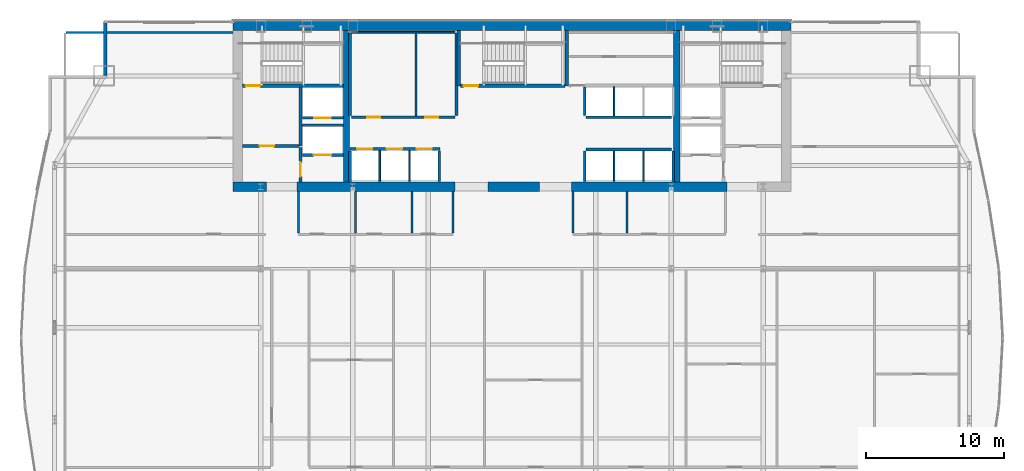
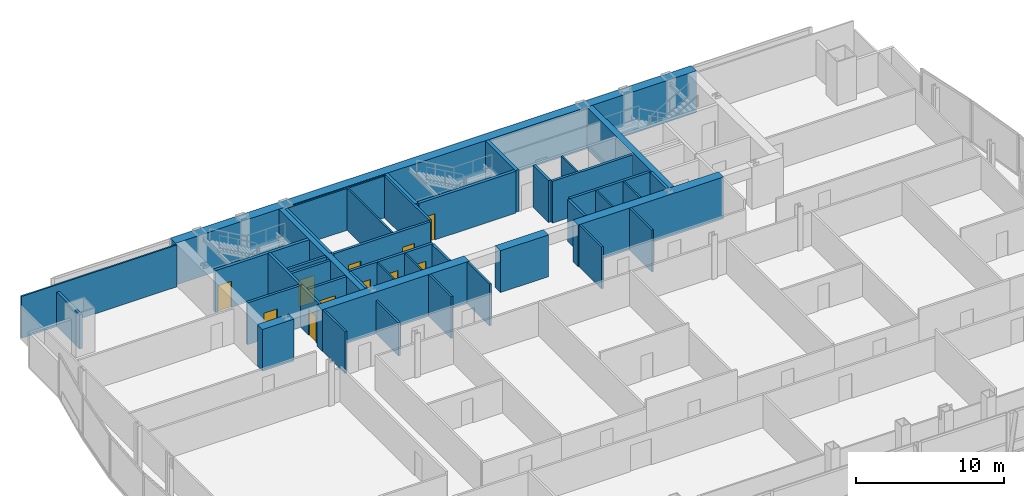
# One storey, part 29 of 33: 43 walls, 11 doors, 11 openings.
"""IFC4 building model written with IfcOpenShell, lengths in metres."""

from ifc_helpers import new_model, si_unit, direction, frame, frame_2d, origin, place, context, subcontext, project, spatial, rectangle, extrude, material, layer, layer_set, type_object, element, fill, save


model = new_model("IFC4")

# Units and contexts
model_context = context("Model", 3, precision=1e-05, world=origin(), true_north=direction((0.0, 1.0)))
body_context = subcontext(model_context, "Body", "Model", "MODEL_VIEW")
ifc_project = project(units=[si_unit("LENGTHUNIT", "METRE"), si_unit("AREAUNIT", "SQUARE_METRE"), si_unit("VOLUMEUNIT", "CUBIC_METRE"), si_unit("PLANEANGLEUNIT", "RADIAN"), si_unit("MASSUNIT", "GRAM", prefix="KILO")], contexts=[model_context])

# Site, building, storey
site_placement = place(None, origin())
site = spatial("IfcSite", under=ifc_project, at=site_placement, CompositionType="ELEMENT")
building_placement = place(site_placement, origin())
building = spatial("IfcBuilding", under=site, at=building_placement, Name="Khoronbel Lancet Exchange", CompositionType="ELEMENT")
storey_placement = place(building_placement, frame((0.0, 0.0, 114.60009765625)))
storey = spatial("IfcBuildingStorey", under=building, at=storey_placement, Name="L27", CompositionType="ELEMENT", Elevation=114.60009765625)

# Walls
ifc_material_1 = material(Name="Concrete C80/95", Category="concrete")
ifc_layer_1 = layer(ifc_material_1, 0.699951171875, Name="Concrete C80/95")
ifc_layer_set_1 = layer_set([ifc_layer_1], Name="Concrete C80/95")
wall_type_1 = type_object("IfcWallType", Name="WL-CW2", PredefinedType="SHEAR", material=ifc_layer_set_1)
wall_1_placement = place(storey_placement, frame((16.199951171875, 53.35009765625, 0.0), z_axis=(0.0, 0.0, 1.0), x_axis=(1.0, 0.0, 0.0)))
element("IfcWall", 1, at=wall_1_placement, inside=storey, type_object=wall_type_1, Name="Level L27 rear core north shear wall", PredefinedType="SHEAR", context=body_context, shape_type="SweptSolid", body=[
    extrude(rectangle(XDim=40.5, YDim=0.699951171875, at=frame_2d((20.25, 0.0))), origin(), (0.0, 0.0, 1.0), 3.43994140625),
])
wall_2_placement = place(storey_placement, frame((18.64990234375, 41.64990234375, 0.0), z_axis=(0.0, 0.0, 1.0), x_axis=(-1.0, 0.0, 0.0)))
element("IfcWall", 2, at=wall_2_placement, inside=storey, type_object=wall_type_1, Name="Level L27 rear core south shear wall pier P1", PredefinedType="SHEAR", context=body_context, shape_type="SweptSolid", body=[
    extrude(rectangle(XDim=2.449951171875, YDim=0.699951171875, at=frame_2d((1.22509765625, 0.0))), origin(), (0.0, 0.0, 1.0), 3.43994140625),
])
wall_3_placement = place(storey_placement, frame((32.300048828125, 41.64990234375, 0.0), z_axis=(0.0, 0.0, 1.0), x_axis=(-1.0, 0.0, 0.0)))
element("IfcWall", 3, at=wall_3_placement, inside=storey, type_object=wall_type_1, Name="Level L27 rear core south shear wall pier P2", PredefinedType="SHEAR", context=body_context, shape_type="SweptSolid", body=[
    extrude(rectangle(XDim=11.449951171875, YDim=0.699951171875, at=frame_2d((5.72509765625, 0.0))), origin(), (0.0, 0.0, 1.0), 3.43994140625),
])
wall_4_placement = place(storey_placement, frame((38.449951171875, 41.64990234375, 0.0), z_axis=(0.0, 0.0, 1.0), x_axis=(-1.0, 0.0, 0.0)))
element("IfcWall", 4, at=wall_4_placement, inside=storey, type_object=wall_type_1, Name="Level L27 rear core south shear wall pier P3", PredefinedType="SHEAR", context=body_context, shape_type="SweptSolid", body=[
    extrude(rectangle(XDim=3.75, YDim=0.699951171875, at=frame_2d((1.875, 0.0))), origin(), (0.0, 0.0, 1.0), 3.43994140625),
])
wall_5_placement = place(storey_placement, frame((52.050048828125, 41.64990234375, 0.0), z_axis=(0.0, 0.0, 1.0), x_axis=(-1.0, 0.0, 0.0)))
element("IfcWall", 5, at=wall_5_placement, inside=storey, type_object=wall_type_1, Name="Level L27 rear core south shear wall pier P4", PredefinedType="SHEAR", context=body_context, shape_type="SweptSolid", body=[
    extrude(rectangle(XDim=11.300048828125, YDim=0.699951171875, at=frame_2d((5.64990234375, 0.0))), origin(), (0.0, 0.0, 1.0), 3.43994140625),
])
ifc_material_2 = material(Name="Precast concrete C40/50", Category="concrete")
ifc_layer_2 = layer(ifc_material_2, 0.25, Name="Precast concrete C40/50")
ifc_layer_set_2 = layer_set([ifc_layer_2], Name="Precast concrete C40/50")
wall_type_2 = type_object("IfcWallType", Name="WL-EXT250", PredefinedType="SOLIDWALL", material=ifc_layer_set_2)
wall_6_placement = place(storey_placement, frame((6.93994140625, 49.719970703125, 0.0), z_axis=(0.0, 0.0, 1.0), x_axis=(0.0, 1.0, 0.0)))
element("IfcWall", 6, at=wall_6_placement, inside=storey, type_object=wall_type_2, Name="Level L27 notched-corner limestone pier 12", PredefinedType="SOLIDWALL", context=body_context, shape_type="SweptSolid", body=[
    extrude(rectangle(XDim=3.909912109375, YDim=0.219970703125, at=frame_2d((1.955078125, 0.0))), origin(), (0.0, 0.0, 1.0), 2.829833984375),
])
ifc_material_3 = material(Name="Acoustic Metal-Stud & Mineral-Wool Gypsum Partition 120 mm", Category="gypsum")
ifc_layer_3 = layer(ifc_material_3, 0.1201171875, Name="Acoustic Metal-Stud & Mineral-Wool Gypsum Partition 120 mm")
ifc_layer_set_3 = layer_set([ifc_layer_3], Name="Acoustic Metal-Stud & Mineral-Wool Gypsum Partition 120 mm")
wall_type_3 = type_object("IfcWallType", Name="WL-PRT120", PredefinedType="PARTITIONING", material=ifc_layer_set_3)
wall_7_placement = place(storey_placement, frame((20.949951171875, 38.280029296875, 0.0), z_axis=(0.0, 0.0, 1.0), x_axis=(0.0, 1.0, 0.0)))
element("IfcWall", 7, at=wall_7_placement, inside=storey, type_object=wall_type_3, Name="Level L27 interior partition PW-WC-0", PredefinedType="PARTITIONING", context=body_context, shape_type="SweptSolid", body=[
    extrude(rectangle(XDim=3.02001953125, YDim=0.14990234375, at=frame_2d((1.510009765625, 0.0))), origin(), (0.0, 0.0, 1.0), 3.43994140625),
])
wall_8_placement = place(storey_placement, frame((25.10009765625, 38.280029296875, 0.0), z_axis=(0.0, 0.0, 1.0), x_axis=(0.0, 1.0, 0.0)))
element("IfcWall", 8, at=wall_8_placement, inside=storey, type_object=wall_type_3, Name="Level L27 interior partition PW-WC-1", PredefinedType="PARTITIONING", context=body_context, shape_type="SweptSolid", body=[
    extrude(rectangle(XDim=3.02001953125, YDim=0.14990234375, at=frame_2d((1.510009765625, 0.0))), origin(), (0.0, 0.0, 1.0), 2.72998046875),
])
for number, where, z_axis, x_axis, name in (
    (9, (29.199951171875, 38.280029296875, 0.0), (0.0, 0.0, 1.0), (0.0, 1.0, 0.0), "Level L27 interior partition PW-WC-2"),
    (10, (32.179931640625, 38.280029296875, 0.0), (0.0, 0.0, 1.0), (0.0, 1.0, 0.0), "Level L27 interior partition PW-WC-3"),
    (11, (40.8798828125, 38.280029296875, 0.0), (0.0, 0.0, 1.0), (0.0, 1.0, 0.0), "Level L27 interior partition PW-NP-0"),
    (12, (44.800048828125, 38.280029296875, 0.0), (0.0, 0.0, 1.0), (0.0, 1.0, 0.0), "Level L27 interior partition PW-NP-M"),
):
    element("IfcWall", number, at=place(storey_placement, frame(where, z_axis=z_axis, x_axis=x_axis)), inside=storey, type_object=wall_type_3, Name=name, PredefinedType="PARTITIONING", context=body_context, shape_type="SweptSolid", body=[
        extrude(rectangle(XDim=3.02001953125, YDim=0.14990234375, at=frame_2d((1.510009765625, 0.0))), origin(), (0.0, 0.0, 1.0), 3.43994140625),
    ])
wall_9_placement = place(storey_placement, frame((4.094970703125, 52.840087890625, 0.0), z_axis=(0.0, 0.0, 1.0), x_axis=(1.0, 0.0, 0.0)))
element("IfcWall", 13, at=wall_9_placement, inside=storey, type_object=wall_type_3, Name="Level L27 interior partition PW-LIN-NW", PredefinedType="PARTITIONING", context=body_context, shape_type="SweptSolid", body=[
    extrude(rectangle(XDim=12.10498046875, YDim=0.1201171875, at=frame_2d((6.052490234375, 0.0))), origin(), (0.0, 0.0, 1.0), 3.43994140625),
])
ifc_material_4 = material(Name="Fire-Rated Metal-Stud & Mineral-Wool Gypsum Partition 120 mm", Category="gypsum")
ifc_layer_4 = layer(ifc_material_4, 0.1201171875, Name="Fire-Rated Metal-Stud & Mineral-Wool Gypsum Partition 120 mm")
ifc_layer_set_4 = layer_set([ifc_layer_4], Name="Fire-Rated Metal-Stud & Mineral-Wool Gypsum Partition 120 mm")
wall_type_4 = type_object("IfcWallType", Name="WL-PRT120F", PredefinedType="PARTITIONING", material=ifc_layer_set_4)
wall_10_placement = place(storey_placement, frame((24.804931640625, 52.860107421875, 0.0), z_axis=(0.0, 0.0, 1.0), x_axis=(1.0, 0.0, 0.0)))
element("IfcWall", 14, at=wall_10_placement, inside=storey, type_object=wall_type_4, Name="Level L27 interior partition CW-PL-RN", PredefinedType="PARTITIONING", context=body_context, shape_type="SweptSolid", body=[
    extrude(rectangle(XDim=7.510009765625, YDim=0.1201171875, at=frame_2d((3.7548828125, 0.0))), origin(), (0.0, 0.0, 1.0), 3.43994140625),
])
wall_11_placement = place(storey_placement, frame((29.486328125, 46.804931640625, 0.0), z_axis=(0.0, 0.0, 1.0), x_axis=(0.0, 1.0, 0.0)))
element("IfcWall", 15, at=wall_11_placement, inside=storey, type_object=wall_type_4, Name="Level L27 interior partition CW-PL-RS2", PredefinedType="PARTITIONING", context=body_context, shape_type="SweptSolid", body=[
    extrude(rectangle(XDim=5.989990234375, YDim=0.1201171875, at=frame_2d((2.9951171875, 0.0))), origin(), (0.0, 0.0, 1.0), 3.43994140625),
])
for number, where, z_axis, x_axis, name in (
    (16, (26.860107421875, 42.050048828125, 0.0), (0.0, 0.0, 1.0), (0.0, 1.0, 0.0), "Level L27 interior partition CW-PM-D1"),
    (17, (29.02001953125, 42.050048828125, 0.0), (0.0, 0.0, 1.0), (0.0, 1.0, 0.0), "Level L27 interior partition CW-PM-D2"),
):
    element("IfcWall", number, at=place(storey_placement, frame(where, z_axis=z_axis, x_axis=x_axis)), inside=storey, type_object=wall_type_4, Name=name, PredefinedType="PARTITIONING", context=body_context, shape_type="SweptSolid", body=[
        extrude(rectangle(XDim=2.199951171875, YDim=0.1201171875, at=frame_2d((1.10009765625, 0.0))), origin(), (0.0, 0.0, 1.0), 3.43994140625),
    ])
wall_12_placement = place(storey_placement, frame((43.860107421875, 46.804931640625, 0.0), z_axis=(0.0, 0.0, 1.0), x_axis=(0.0, 1.0, 0.0)))
element("IfcWall", 18, at=wall_12_placement, inside=storey, type_object=wall_type_4, Name="Level L27 interior partition CW-PH-D1", PredefinedType="PARTITIONING", context=body_context, shape_type="SweptSolid", body=[
    extrude(rectangle(XDim=2.090087890625, YDim=0.1201171875, at=frame_2d((1.044921875, 0.0))), origin(), (0.0, 0.0, 1.0), 3.43994140625),
])
for number, where, z_axis, x_axis, name in (
    (19, (43.860107421875, 42.050048828125, 0.0), (0.0, 0.0, 1.0), (0.0, 1.0, 0.0), "Level L27 interior partition CW-PX-D1"),
    (20, (46.0, 42.050048828125, 0.0), (0.0, 0.0, 1.0), (0.0, 1.0, 0.0), "Level L27 interior partition CW-PX-D2"),
):
    element("IfcWall", number, at=place(storey_placement, frame(where, z_axis=z_axis, x_axis=x_axis)), inside=storey, type_object=wall_type_4, Name=name, PredefinedType="PARTITIONING", context=body_context, shape_type="SweptSolid", body=[
        extrude(rectangle(XDim=2.195068359375, YDim=0.1201171875, at=frame_2d((1.09765625, 0.0))), origin(), (0.0, 0.0, 1.0), 3.43994140625),
    ])

# Wall, openings, doors
ifc_material_5 = material(Name="Autoclaved Aerated Concrete Blockwork 200 mm", Category="masonry")
ifc_layer_5 = layer(ifc_material_5, 0.199951171875, Name="Autoclaved Aerated Concrete Blockwork 200 mm")
ifc_layer_set_5 = layer_set([ifc_layer_5], Name="Autoclaved Aerated Concrete Blockwork 200 mm")
wall_type_5 = type_object("IfcWallType", Name="WL-PRT200", PredefinedType="PARTITIONING", material=ifc_layer_set_5)
wall_13_placement = place(storey_placement, frame((24.68994140625, 44.39990234375, 0.0), z_axis=(0.0, 0.0, 1.0), x_axis=(1.0, 0.0, 0.0)))
wall_13 = element("IfcWall", 21, at=wall_13_placement, inside=storey, type_object=wall_type_5, Name="Level L27 elevator hoistway landing front wall PMW", PredefinedType="PARTITIONING", context=body_context, shape_type="SweptSolid", body=[
    extrude(rectangle(XDim=6.530029296875, YDim=0.199951171875, at=frame_2d((3.26513671875, 0.0))), origin(), (0.0, 0.0, 1.0), 3.43994140625),
])
opening_1_placement = place(wall_13_placement, frame((0.530029296875, 0.0, 0.0)))
opening_1 = element("IfcOpeningElement", 22, at=opening_1_placement, cuts=wall_13, Name="Opening LD-PM1", PredefinedType="OPENING", context=body_context, shape_type="SweptSolid", body=[
    extrude(rectangle(XDim=1.10009765625, YDim=2.179931640625, at=frame_2d((0.550048828125, 1.08984375))), frame((0.0, 0.10986328125, 0.0), z_axis=(0.0, -1.0, 0.0), x_axis=(1.0, 0.0, 0.0)), (0.0, 0.0, 1.0), 0.219970703125),
])
opening_2_placement = place(wall_13_placement, frame((2.68994140625, 0.0, 0.0)))
opening_2 = element("IfcOpeningElement", 23, at=opening_2_placement, cuts=wall_13, Name="Opening LD-PM2", PredefinedType="OPENING", context=body_context, shape_type="SweptSolid", body=[
    extrude(rectangle(XDim=1.10009765625, YDim=2.179931640625, at=frame_2d((0.550048828125, 1.08984375))), frame((0.0, 0.10986328125, 0.0), z_axis=(0.0, -1.0, 0.0), x_axis=(1.0, 0.0, 0.0)), (0.0, 0.0, 1.0), 0.219970703125),
])
opening_3_placement = place(wall_13_placement, frame((4.85009765625, 0.0, 0.0)))
opening_3 = element("IfcOpeningElement", 24, at=opening_3_placement, cuts=wall_13, Name="Opening LD-PM3", PredefinedType="OPENING", context=body_context, shape_type="SweptSolid", body=[
    extrude(rectangle(XDim=1.10009765625, YDim=2.179931640625, at=frame_2d((0.550048828125, 1.08984375))), frame((0.0, 0.10986328125, 0.0), z_axis=(0.0, -1.0, 0.0), x_axis=(1.0, 0.0, 0.0)), (0.0, 0.0, 1.0), 0.219970703125),
])
ifc_material_6 = material(Name="Brushed Bronze Bi-Parting Elevator Landing Door", Category="steel")
door_type_1 = type_object("IfcDoorType", Name="DR-LD-PAX", OperationType="NOTDEFINED", PredefinedType="DOOR", material=ifc_material_6)
door_1_placement = place(opening_1_placement, origin())
door_1 = element("IfcDoor", 25, at=door_1_placement, inside=storey, type_object=door_type_1, Name="Elevator landing sliding door LD-PM1 L27", OperationType="SLIDING_TO_LEFT", OverallHeight=2.179931640625, OverallWidth=1.10009765625, PredefinedType="DOOR", context=body_context, shape_type="SweptSolid", body=[
    extrude(rectangle(XDim=1.10009765625, YDim=2.179931640625, at=frame_2d((0.550048828125, 1.08984375))), frame((0.0, 0.02490234375, 0.0), z_axis=(0.0, -1.0, 0.0), x_axis=(1.0, 0.0, 0.0)), (0.0, 0.0, 1.0), 0.050048828125),
])
fill(opening_1, door_1)
door_2_placement = place(opening_2_placement, origin())
door_2 = element("IfcDoor", 26, at=door_2_placement, inside=storey, type_object=door_type_1, Name="Elevator landing sliding door LD-PM2 L27", OperationType="SLIDING_TO_LEFT", OverallHeight=2.179931640625, OverallWidth=1.10009765625, PredefinedType="DOOR", context=body_context, shape_type="SweptSolid", body=[
    extrude(rectangle(XDim=1.10009765625, YDim=2.179931640625, at=frame_2d((0.550048828125, 1.08984375))), frame((0.0, 0.02490234375, 0.0), z_axis=(0.0, -1.0, 0.0), x_axis=(1.0, 0.0, 0.0)), (0.0, 0.0, 1.0), 0.050048828125),
])
fill(opening_2, door_2)
door_3_placement = place(opening_3_placement, origin())
door_3 = element("IfcDoor", 27, at=door_3_placement, inside=storey, type_object=door_type_1, Name="Elevator landing sliding door LD-PM3 L27", OperationType="SLIDING_TO_LEFT", OverallHeight=2.179931640625, OverallWidth=1.10009765625, PredefinedType="DOOR", context=body_context, shape_type="SweptSolid", body=[
    extrude(rectangle(XDim=1.10009765625, YDim=2.179931640625, at=frame_2d((0.550048828125, 1.08984375))), frame((0.0, 0.02490234375, 0.0), z_axis=(0.0, -1.0, 0.0), x_axis=(1.0, 0.0, 0.0)), (0.0, 0.0, 1.0), 0.050048828125),
])
fill(opening_3, door_3)

# Wall, opening, door
wall_14_placement = place(storey_placement, frame((24.2099609375, 43.949951171875, 0.0), z_axis=(0.0, 0.0, 1.0), x_axis=(-1.0, 0.0, 0.0)))
wall_14 = element("IfcWall", 28, at=wall_14_placement, inside=storey, type_object=wall_type_5, Name="Level L27 elevator hoistway landing front wall SVLW", PredefinedType="PARTITIONING", context=body_context, shape_type="SweptSolid", body=[
    extrude(rectangle(XDim=2.969970703125, YDim=0.199951171875, at=frame_2d((1.48486328125, 0.0))), origin(), (0.0, 0.0, 1.0), 3.43994140625),
])
opening_4_placement = place(wall_14_placement, frame((0.860107421875, 0.0, 0.0)))
opening_4 = element("IfcOpeningElement", 29, at=opening_4_placement, cuts=wall_14, Name="Opening LD-SVL1", PredefinedType="OPENING", context=body_context, shape_type="SweptSolid", body=[
    extrude(rectangle(XDim=1.300048828125, YDim=2.179931640625, at=frame_2d((0.64990234375, 1.08984375))), frame((0.0, 0.10986328125, 0.0), z_axis=(0.0, -1.0, 0.0), x_axis=(1.0, 0.0, 0.0)), (0.0, 0.0, 1.0), 0.219970703125),
])
ifc_material_7 = material(Name="Heavy-Duty Bi-Parting Goods Lift Landing Door", Category="steel")
door_type_2 = type_object("IfcDoorType", Name="DR-LD-SVL", OperationType="NOTDEFINED", PredefinedType="DOOR", material=ifc_material_7)
door_4_placement = place(opening_4_placement, origin())
door_4 = element("IfcDoor", 30, at=door_4_placement, inside=storey, type_object=door_type_2, Name="Elevator landing sliding door LD-SVL1 L27", OperationType="SLIDING_TO_LEFT", OverallHeight=2.179931640625, OverallWidth=1.300048828125, PredefinedType="DOOR", context=body_context, shape_type="SweptSolid", body=[
    extrude(rectangle(XDim=1.300048828125, YDim=2.179931640625, at=frame_2d((0.64990234375, 1.08984375))), frame((0.0, 0.02490234375, 0.0), z_axis=(0.0, -1.0, 0.0), x_axis=(1.0, 0.0, 0.0)), (0.0, 0.0, 1.0), 0.050048828125),
])
fill(opening_4, door_4)

wall_15_placement = place(storey_placement, frame((24.2099609375, 46.64990234375, 0.0), z_axis=(0.0, 0.0, 1.0), x_axis=(-1.0, 0.0, 0.0)))
wall_15 = element("IfcWall", 31, at=wall_15_placement, inside=storey, type_object=wall_type_5, Name="Level L27 elevator hoistway landing front wall FFLW", PredefinedType="PARTITIONING", context=body_context, shape_type="SweptSolid", body=[
    extrude(rectangle(XDim=2.969970703125, YDim=0.199951171875, at=frame_2d((1.48486328125, 0.0))), origin(), (0.0, 0.0, 1.0), 3.43994140625),
])
opening_5_placement = place(wall_15_placement, frame((0.909912109375, 0.0, 0.0)))
opening_5 = element("IfcOpeningElement", 32, at=opening_5_placement, cuts=wall_15, Name="Opening LD-FFL1", PredefinedType="OPENING", context=body_context, shape_type="SweptSolid", body=[
    extrude(rectangle(XDim=1.199951171875, YDim=2.179931640625, at=frame_2d((0.60009765625, 1.08984375))), frame((0.0, 0.10986328125, 0.0), z_axis=(0.0, -1.0, 0.0), x_axis=(1.0, 0.0, 0.0)), (0.0, 0.0, 1.0), 0.219970703125),
])
ifc_material_8 = material(Name="Fire-Rated Stainless Bi-Parting Firefighting Lift Door", Category="steel")
door_type_3 = type_object("IfcDoorType", Name="DR-LD-FFL", OperationType="NOTDEFINED", PredefinedType="DOOR", material=ifc_material_8)
door_5_placement = place(opening_5_placement, origin())
door_5 = element("IfcDoor", 33, at=door_5_placement, inside=storey, type_object=door_type_3, Name="Elevator landing sliding door LD-FFL1 L27", OperationType="SLIDING_TO_LEFT", OverallHeight=2.179931640625, OverallWidth=1.199951171875, PredefinedType="DOOR", context=body_context, shape_type="SweptSolid", body=[
    extrude(rectangle(XDim=1.199951171875, YDim=2.179931640625, at=frame_2d((0.60009765625, 1.08984375))), frame((0.0, 0.02490234375, 0.0), z_axis=(0.0, -1.0, 0.0), x_axis=(1.0, 0.0, 0.0)), (0.0, 0.0, 1.0), 0.050048828125),
])
fill(opening_5, door_5)

# Wall
wall_16_placement = place(storey_placement, frame((21.10009765625, 44.60009765625, 0.0), z_axis=(0.0, 0.0, 1.0), x_axis=(0.0, 1.0, 0.0)))
element("IfcWall", 34, at=wall_16_placement, inside=storey, type_object=wall_type_5, Name="Level L27 interior partition CW-FFLW-E", PredefinedType="PARTITIONING", context=body_context, shape_type="SweptSolid", body=[
    extrude(rectangle(XDim=4.2998046875, YDim=0.199951171875, at=frame_2d((2.14990234375, 0.0))), origin(), (0.0, 0.0, 1.0), 3.43994140625),
])

# Wall, opening, door
wall_17_placement = place(storey_placement, frame((16.89990234375, 44.60009765625, 0.0), z_axis=(0.0, 0.0, 1.0), x_axis=(1.0, 0.0, 0.0)))
wall_17 = element("IfcWall", 35, at=wall_17_placement, inside=storey, type_object=wall_type_5, Name="Level L27 interior partition CW-FFLW-S", PredefinedType="PARTITIONING", context=body_context, shape_type="SweptSolid", body=[
    extrude(rectangle(XDim=4.10009765625, YDim=0.199951171875, at=frame_2d((2.050048828125, 0.0))), origin(), (0.0, 0.0, 1.0), 3.43994140625),
])
opening_6_placement = place(wall_17_placement, frame((1.25, 0.0, 0.0)))
opening_6 = element("IfcOpeningElement", 36, at=opening_6_placement, cuts=wall_17, Name="Opening FD1", PredefinedType="OPENING", context=body_context, shape_type="SweptSolid", body=[
    extrude(rectangle(XDim=1.050048828125, YDim=2.14990234375, at=frame_2d((0.52490234375, 1.074951171875))), frame((0.0, 0.10986328125, 0.0), z_axis=(0.0, -1.0, 0.0), x_axis=(1.0, 0.0, 0.0)), (0.0, 0.0, 1.0), 0.219970703125),
])
ifc_material_9 = material(Name="Fire-Rated Painted Steel Door Assembly", Category="steel")
door_type_4 = type_object("IfcDoorType", Name="DR-FD1", OperationType="NOTDEFINED", PredefinedType="DOOR", material=ifc_material_9)
door_6_placement = place(opening_6_placement, origin())
door_6 = element("IfcDoor", 37, at=door_6_placement, inside=storey, type_object=door_type_4, Name="West firefighting lobby FD90S door L27-1", OperationType="SINGLE_SWING_LEFT", OverallHeight=2.14990234375, OverallWidth=1.050048828125, PredefinedType="DOOR", context=body_context, shape_type="SweptSolid", body=[
    extrude(rectangle(XDim=1.050048828125, YDim=2.14990234375, at=frame_2d((0.52490234375, 1.074951171875))), frame((0.0, 0.02490234375, 0.0), z_axis=(0.0, -1.0, 0.0), x_axis=(1.0, 0.0, 0.0)), (0.0, 0.0, 1.0), 0.050048828125),
])
fill(opening_6, door_6)

# Wall
wall_18_placement = place(storey_placement, frame((21.199951171875, 46.1201171875, 0.0), z_axis=(0.0, 0.0, 1.0), x_axis=(1.0, 0.0, 0.0)))
element("IfcWall", 38, at=wall_18_placement, inside=storey, type_object=wall_type_5, Name="Level L27 interior partition CW-FFL1-S", PredefinedType="PARTITIONING", context=body_context, shape_type="SweptSolid", body=[
    extrude(rectangle(XDim=3.02001953125, YDim=0.199951171875, at=frame_2d((1.510009765625, 0.0))), origin(), (0.0, 0.0, 1.0), 3.43994140625),
])

# Wall, opening, door
wall_19_placement = place(storey_placement, frame((21.10009765625, 42.0, 0.0), z_axis=(0.0, 0.0, 1.0), x_axis=(0.0, 1.0, 0.0)))
wall_19 = element("IfcWall", 39, at=wall_19_placement, inside=storey, type_object=wall_type_5, Name="Level L27 interior partition CW-SVLW-W", PredefinedType="PARTITIONING", context=body_context, shape_type="SweptSolid", body=[
    extrude(rectangle(XDim=2.4951171875, YDim=0.199951171875, at=frame_2d((1.24755859375, 0.0))), origin(), (0.0, 0.0, 1.0), 3.43994140625),
])
opening_7_placement = place(wall_19_placement, frame((0.3798828125, 0.0, 0.0)))
opening_7 = element("IfcOpeningElement", 40, at=opening_7_placement, cuts=wall_19, Name="Opening FD1", PredefinedType="OPENING", context=body_context, shape_type="SweptSolid", body=[
    extrude(rectangle(XDim=1.050048828125, YDim=2.14990234375, at=frame_2d((0.52490234375, 1.074951171875))), frame((0.0, 0.10986328125, 0.0), z_axis=(0.0, -1.0, 0.0), x_axis=(1.0, 0.0, 0.0)), (0.0, 0.0, 1.0), 0.219970703125),
])
door_7_placement = place(opening_7_placement, origin())
door_7 = element("IfcDoor", 41, at=door_7_placement, inside=storey, type_object=door_type_4, Name="West service lift lobby door L27-1", OperationType="SINGLE_SWING_RIGHT", OverallHeight=2.14990234375, OverallWidth=1.050048828125, PredefinedType="DOOR", context=body_context, shape_type="SweptSolid", body=[
    extrude(rectangle(XDim=1.050048828125, YDim=2.14990234375, at=frame_2d((0.52490234375, 1.074951171875))), frame((0.0, 0.02490234375, 0.0), z_axis=(0.0, -1.0, 0.0), x_axis=(1.0, 0.0, 0.0)), (0.0, 0.0, 1.0), 0.050048828125),
])
fill(opening_7, door_7)

# Walls
for number, where, z_axis, x_axis, name in (
    (42, (24.699951171875, 46.804931640625, 0.0), (0.0, 0.0, 1.0), (0.0, 1.0, 0.0), "Level L27 interior partition CW-PL-RW"),
    (43, (32.419921875, 46.804931640625, 0.0), (0.0, 0.0, 1.0), (0.0, 1.0, 0.0), "Level L27 interior partition CW-PL-RE"),
):
    element("IfcWall", number, at=place(storey_placement, frame(where, z_axis=z_axis, x_axis=x_axis)), inside=storey, type_object=wall_type_5, Name=name, PredefinedType="PARTITIONING", context=body_context, shape_type="SweptSolid", body=[
        extrude(rectangle(XDim=5.989990234375, YDim=0.199951171875, at=frame_2d((2.9951171875, 0.0))), origin(), (0.0, 0.0, 1.0), 3.43994140625),
    ])

# Wall, openings, doors
wall_20_placement = place(storey_placement, frame((24.804931640625, 46.699951171875, 0.0), z_axis=(0.0, 0.0, 1.0), x_axis=(1.0, 0.0, 0.0)))
wall_20 = element("IfcWall", 44, at=wall_20_placement, inside=storey, type_object=wall_type_5, Name="Level L27 interior partition CW-PL-RF", PredefinedType="PARTITIONING", context=body_context, shape_type="SweptSolid", body=[
    extrude(rectangle(XDim=7.510009765625, YDim=0.199951171875, at=frame_2d((3.7548828125, 0.0))), origin(), (0.0, 0.0, 1.0), 3.43994140625),
])
opening_8_placement = place(wall_20_placement, frame((1.14990234375, 0.0, 0.0)))
opening_8 = element("IfcOpeningElement", 45, at=opening_8_placement, cuts=wall_20, Name="Opening FD3", PredefinedType="OPENING", context=body_context, shape_type="SweptSolid", body=[
    extrude(rectangle(XDim=0.949951171875, YDim=2.10009765625, at=frame_2d((0.47509765625, 1.050048828125))), frame((0.0, 0.10986328125, 0.0), z_axis=(0.0, -1.0, 0.0), x_axis=(1.0, 0.0, 0.0)), (0.0, 0.0, 1.0), 0.219970703125),
])
opening_9_placement = place(wall_20_placement, frame((5.33642578125, 0.0, 0.0)))
opening_9 = element("IfcOpeningElement", 46, at=opening_9_placement, cuts=wall_20, Name="Opening FD3", PredefinedType="OPENING", context=body_context, shape_type="SweptSolid", body=[
    extrude(rectangle(XDim=0.949951171875, YDim=2.10009765625, at=frame_2d((0.47509765625, 1.050048828125))), frame((0.0, 0.10986328125, 0.0), z_axis=(0.0, -1.0, 0.0), x_axis=(1.0, 0.0, 0.0)), (0.0, 0.0, 1.0), 0.219970703125),
])
ifc_material_10 = material(Name="Fire-Rated Steel Plant & Riser Door Assembly", Category="steel")
door_type_5 = type_object("IfcDoorType", Name="DR-FD3", OperationType="NOTDEFINED", PredefinedType="DOOR", material=ifc_material_10)
door_8_placement = place(opening_8_placement, origin())
door_8 = element("IfcDoor", 47, at=door_8_placement, inside=storey, type_object=door_type_5, Name="Reclaimed PL C door L27-1", OperationType="SINGLE_SWING_LEFT", OverallHeight=2.10009765625, OverallWidth=0.949951171875, PredefinedType="DOOR", context=body_context, shape_type="SweptSolid", body=[
    extrude(rectangle(XDim=0.949951171875, YDim=2.10009765625, at=frame_2d((0.47509765625, 1.050048828125))), frame((0.0, 0.02490234375, 0.0), z_axis=(0.0, -1.0, 0.0), x_axis=(1.0, 0.0, 0.0)), (0.0, 0.0, 1.0), 0.050048828125),
])
fill(opening_8, door_8)
door_9_placement = place(opening_9_placement, origin())
door_9 = element("IfcDoor", 48, at=door_9_placement, inside=storey, type_object=door_type_5, Name="Reclaimed PL D door L27-2", OperationType="SINGLE_SWING_RIGHT", OverallHeight=2.10009765625, OverallWidth=0.949951171875, PredefinedType="DOOR", context=body_context, shape_type="SweptSolid", body=[
    extrude(rectangle(XDim=0.949951171875, YDim=2.10009765625, at=frame_2d((0.47509765625, 1.050048828125))), frame((0.0, 0.02490234375, 0.0), z_axis=(0.0, -1.0, 0.0), x_axis=(1.0, 0.0, 0.0)), (0.0, 0.0, 1.0), 0.050048828125),
])
fill(opening_9, door_9)

# Walls
for number, where, z_axis, x_axis, name in (
    (49, (24.699951171875, 42.050048828125, 0.0), (0.0, 0.0, 1.0), (0.0, 1.0, 0.0), "Level L27 interior partition CW-PM-W"),
    (50, (31.179931640625, 42.050048828125, 0.0), (0.0, 0.0, 1.0), (0.0, 1.0, 0.0), "Level L27 interior partition CW-PM-E"),
):
    element("IfcWall", number, at=place(storey_placement, frame(where, z_axis=z_axis, x_axis=x_axis)), inside=storey, type_object=wall_type_5, Name=name, PredefinedType="PARTITIONING", context=body_context, shape_type="SweptSolid", body=[
        extrude(rectangle(XDim=2.199951171875, YDim=0.199951171875, at=frame_2d((1.10009765625, 0.0))), origin(), (0.0, 0.0, 1.0), 3.43994140625),
    ])
wall_21_placement = place(storey_placement, frame((41.824951171875, 46.699951171875, 0.0), z_axis=(0.0, 0.0, 1.0), x_axis=(1.0, 0.0, 0.0)))
element("IfcWall", 51, at=wall_21_placement, inside=storey, type_object=wall_type_5, Name="Level L27 interior partition CW-PH-EXP", PredefinedType="PARTITIONING", context=body_context, shape_type="SweptSolid", body=[
    extrude(rectangle(XDim=6.2099609375, YDim=0.199951171875, at=frame_2d((3.10498046875, 0.0))), origin(), (0.0, 0.0, 1.0), 3.43994140625),
])
wall_22_placement = place(storey_placement, frame((41.719970703125, 46.804931640625, 0.0), z_axis=(0.0, 0.0, 1.0), x_axis=(0.0, 1.0, 0.0)))
element("IfcWall", 52, at=wall_22_placement, inside=storey, type_object=wall_type_5, Name="Level L27 interior partition CW-PH-W", PredefinedType="PARTITIONING", context=body_context, shape_type="SweptSolid", body=[
    extrude(rectangle(XDim=2.090087890625, YDim=0.199951171875, at=frame_2d((1.044921875, 0.0))), origin(), (0.0, 0.0, 1.0), 3.43994140625),
])
wall_23_placement = place(storey_placement, frame((41.824951171875, 44.35009765625, 0.0), z_axis=(0.0, 0.0, 1.0), x_axis=(1.0, 0.0, 0.0)))
element("IfcWall", 53, at=wall_23_placement, inside=storey, type_object=wall_type_5, Name="Level L27 interior partition CW-PX-EXP", PredefinedType="PARTITIONING", context=body_context, shape_type="SweptSolid", body=[
    extrude(rectangle(XDim=6.2099609375, YDim=0.199951171875, at=frame_2d((3.10498046875, 0.0))), origin(), (0.0, 0.0, 1.0), 3.43994140625),
])
for number, where, z_axis, x_axis, name in (
    (54, (41.719970703125, 42.050048828125, 0.0), (0.0, 0.0, 1.0), (0.0, 1.0, 0.0), "Level L27 interior partition CW-PX-W"),
    (55, (48.139892578125, 42.050048828125, 0.0), (0.0, 0.0, 1.0), (0.0, 1.0, 0.0), "Level L27 interior partition CW-PX-E"),
):
    element("IfcWall", number, at=place(storey_placement, frame(where, z_axis=z_axis, x_axis=x_axis)), inside=storey, type_object=wall_type_5, Name=name, PredefinedType="PARTITIONING", context=body_context, shape_type="SweptSolid", body=[
        extrude(rectangle(XDim=2.195068359375, YDim=0.199951171875, at=frame_2d((1.09765625, 0.0))), origin(), (0.0, 0.0, 1.0), 3.43994140625),
    ])
ifc_layer_6 = layer(ifc_material_1, 0.449951171875, Name="Concrete C80/95")
ifc_layer_set_6 = layer_set([ifc_layer_6], Name="Concrete C80/95")
wall_type_6 = type_object("IfcWallType", Name="WL-SW1", PredefinedType="SHEAR", material=ifc_layer_set_6)
for number, where, z_axis, x_axis, name in (
    (56, (24.449951171875, 42.0, 0.0), (0.0, 0.0, 1.0), (0.0, 1.0, 0.0), "Level L27 rear core internal spine shear wall IW"),
    (57, (48.39990234375, 42.0, 0.0), (0.0, 0.0, 1.0), (0.0, 1.0, 0.0), "Level L27 rear core internal spine shear wall IE"),
):
    element("IfcWall", number, at=place(storey_placement, frame(where, z_axis=z_axis, x_axis=x_axis)), inside=storey, type_object=wall_type_6, Name=name, PredefinedType="SHEAR", context=body_context, shape_type="SweptSolid", body=[
        extrude(rectangle(XDim=11.0, YDim=0.449951171875, at=frame_2d((5.5, 0.0))), origin(), (0.0, 0.0, 1.0), 3.43994140625),
    ])
ifc_material_11 = material(Name="Concrete C60/75", Category="concrete")
ifc_layer_7 = layer(ifc_material_11, 0.260009765625, Name="Concrete C60/75")
ifc_layer_set_7 = layer_set([ifc_layer_7], Name="Concrete C60/75")
wall_type_7 = type_object("IfcWallType", Name="WL-SW3", PredefinedType="SHEAR", material=ifc_layer_set_7)
for number, where, z_axis, x_axis, name in (
    (58, (32.580078125, 48.949951171875, 0.0), (0.0, 0.0, 1.0), (0.0, 1.0, 0.0), "Level L27 central stairwell structural shear wall ST3W"),
    (59, (40.419921875, 48.949951171875, 0.0), (0.0, 0.0, 1.0), (0.0, 1.0, 0.0), "Level L27 central stairwell structural shear wall ST3E"),
):
    element("IfcWall", number, at=place(storey_placement, frame(where, z_axis=z_axis, x_axis=x_axis)), inside=storey, type_object=wall_type_7, Name=name, PredefinedType="SHEAR", context=body_context, shape_type="SweptSolid", body=[
        extrude(rectangle(XDim=4.050048828125, YDim=0.260009765625, at=frame_2d((2.02490234375, 0.0))), origin(), (0.0, 0.0, 1.0), 3.43994140625),
    ])

# Wall, opening, door
wall_24_placement = place(storey_placement, frame((16.89990234375, 48.97998046875, 0.0), z_axis=(0.0, 0.0, 1.0), x_axis=(1.0, 0.0, 0.0)))
wall_24 = element("IfcWall", 60, at=wall_24_placement, inside=storey, type_object=wall_type_7, Name="Level L27 west stairwell structural south wall", PredefinedType="SHEAR", context=body_context, shape_type="SweptSolid", body=[
    extrude(rectangle(XDim=7.320068359375, YDim=0.239990234375, at=frame_2d((3.66015625, 0.0))), origin(), (0.0, 0.0, 1.0), 3.43994140625),
])
opening_10_placement = place(wall_24_placement, frame((0.219970703125, 0.0, 0.0)))
opening_10 = element("IfcOpeningElement", 61, at=opening_10_placement, cuts=wall_24, Name="Opening SD1", PredefinedType="OPENING", context=body_context, shape_type="SweptSolid", body=[
    extrude(rectangle(XDim=1.050048828125, YDim=2.14990234375, at=frame_2d((0.52490234375, 1.074951171875))), frame((0.0, 0.1298828125, 0.0), z_axis=(0.0, -1.0, 0.0), x_axis=(1.0, 0.0, 0.0)), (0.0, 0.0, 1.0), 0.260009765625),
])
ifc_material_12 = material(Name="Fire-Rated Steel Stairwell Door Assembly", Category="steel")
door_type_6 = type_object("IfcDoorType", Name="DR-SD1", OperationType="NOTDEFINED", PredefinedType="DOOR", material=ifc_material_12)
door_10_placement = place(opening_10_placement, origin())
door_10 = element("IfcDoor", 62, at=door_10_placement, inside=storey, type_object=door_type_6, Name="Protected exit stair ST1 door L27", OperationType="SINGLE_SWING_LEFT", OverallHeight=2.14990234375, OverallWidth=1.050048828125, PredefinedType="DOOR", context=body_context, shape_type="SweptSolid", body=[
    extrude(rectangle(XDim=1.050048828125, YDim=2.14990234375, at=frame_2d((0.52490234375, 1.074951171875))), frame((0.0, 0.02490234375, 0.0), z_axis=(0.0, -1.0, 0.0), x_axis=(1.0, 0.0, 0.0)), (0.0, 0.0, 1.0), 0.050048828125),
])
fill(opening_10, door_10)

wall_25_placement = place(storey_placement, frame((32.719970703125, 48.97998046875, 0.0), z_axis=(0.0, 0.0, 1.0), x_axis=(1.0, 0.0, 0.0)))
wall_25 = element("IfcWall", 63, at=wall_25_placement, inside=storey, type_object=wall_type_7, Name="Level L27 central stairwell structural south wall", PredefinedType="SHEAR", context=body_context, shape_type="SweptSolid", body=[
    extrude(rectangle(XDim=7.56005859375, YDim=0.239990234375, at=frame_2d((3.780029296875, 0.0))), origin(), (0.0, 0.0, 1.0), 3.43994140625),
])
opening_11_placement = place(wall_25_placement, frame((0.219970703125, 0.0, 0.0)))
opening_11 = element("IfcOpeningElement", 64, at=opening_11_placement, cuts=wall_25, Name="Opening SD1", PredefinedType="OPENING", context=body_context, shape_type="SweptSolid", body=[
    extrude(rectangle(XDim=1.050048828125, YDim=2.14990234375, at=frame_2d((0.52490234375, 1.074951171875))), frame((0.0, 0.1298828125, 0.0), z_axis=(0.0, -1.0, 0.0), x_axis=(1.0, 0.0, 0.0)), (0.0, 0.0, 1.0), 0.260009765625),
])
door_11_placement = place(opening_11_placement, origin())
door_11 = element("IfcDoor", 65, at=door_11_placement, inside=storey, type_object=door_type_6, Name="Protected exit stair ST3 door L27", OperationType="SINGLE_SWING_LEFT", OverallHeight=2.14990234375, OverallWidth=1.050048828125, PredefinedType="DOOR", context=body_context, shape_type="SweptSolid", body=[
    extrude(rectangle(XDim=1.050048828125, YDim=2.14990234375, at=frame_2d((0.52490234375, 1.074951171875))), frame((0.0, 0.02490234375, 0.0), z_axis=(0.0, -1.0, 0.0), x_axis=(1.0, 0.0, 0.0)), (0.0, 0.0, 1.0), 0.050048828125),
])
fill(opening_11, door_11)

save(model, "model.ifc")
